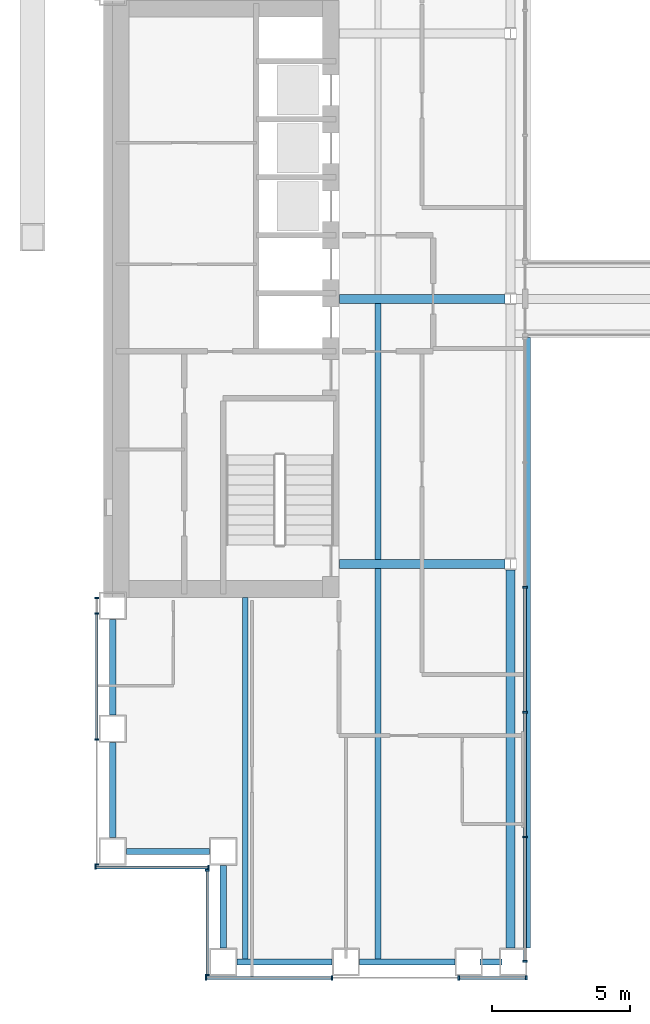
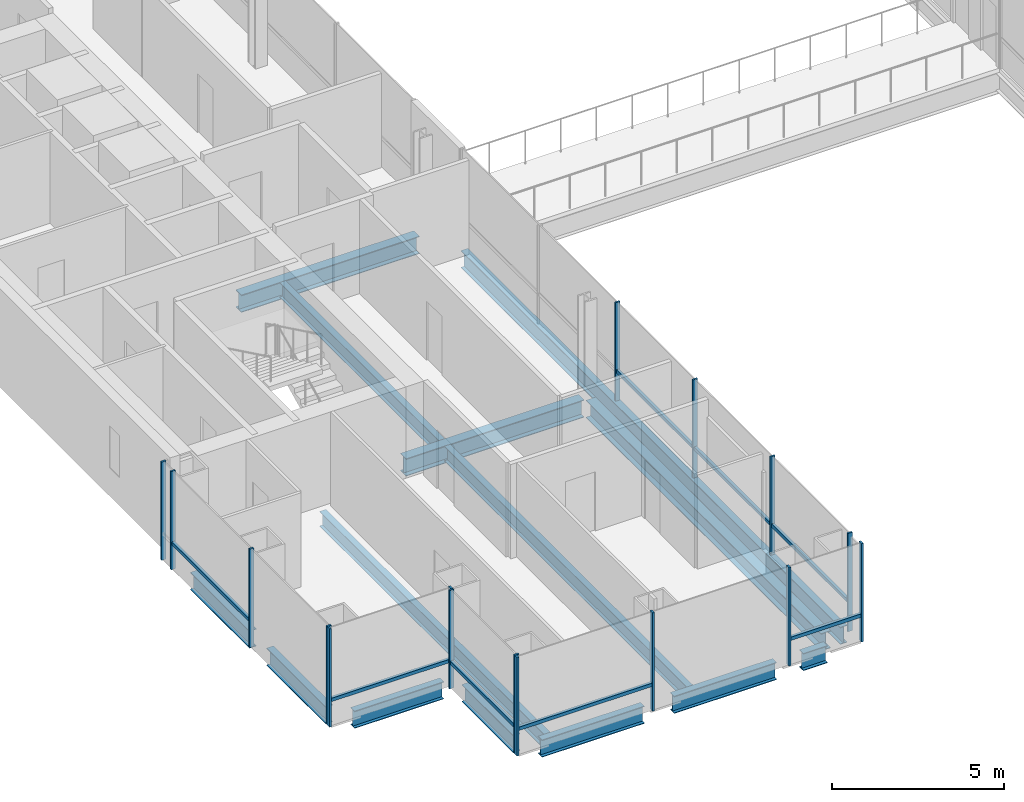
# One storey, part 2 of 19: 24 members, 14 beams, 5 elements without a shape of their own.
"""IFC4 building model written with IfcOpenShell, lengths in metres."""

from ifc_helpers import new_model, si_unit, direction, frame, origin, origin_2d, place, context, subcontext, project, spatial, rectangle, i_section, extrude, material, material_profile, profile_set, type_object, element, aggregate, save


model = new_model("IFC4")

# Units and contexts
model_context = context("Model", 3, precision=1e-05, world=origin(), true_north=direction((0.0, 1.0)))
body_context = subcontext(model_context, "Body", "Model", "MODEL_VIEW")
ifc_project = project(units=[si_unit("LENGTHUNIT", "METRE"), si_unit("AREAUNIT", "SQUARE_METRE"), si_unit("VOLUMEUNIT", "CUBIC_METRE"), si_unit("PLANEANGLEUNIT", "RADIAN"), si_unit("MASSUNIT", "GRAM", prefix="KILO")], contexts=[model_context])

# Site, building, storey
site_placement = place(None, origin())
site = spatial("IfcSite", under=ifc_project, at=site_placement, CompositionType="ELEMENT")
building_placement = place(site_placement, origin())
building = spatial("IfcBuilding", under=site, at=building_placement, Name="Cobrizo Arcos Hotel Tower", CompositionType="ELEMENT")
storey_placement = place(building_placement, frame((0.0, 0.0, 70.5)))
storey = spatial("IfcBuildingStorey", under=building, at=storey_placement, Name="L16", CompositionType="ELEMENT", Elevation=70.5)

# Curtain wall, members
ifc_material_1 = material(Name="Aluminium 6063-T6 anodised bronze", Category="aluminium")
curtain_wall_type_1 = type_object("IfcCurtainWallType", Name="CW-A guest facade", PredefinedType="NOTDEFINED", material=ifc_material_1)
curtain_wall_1_placement = place(storey_placement, origin())
curtain_wall_1 = element("IfcCurtainWall", 1, at=curtain_wall_1_placement, inside=storey, type_object=curtain_wall_type_1, Name="CW-A L16 S face", PredefinedType="NOTDEFINED")
ifc_material_profile_1 = material_profile(ifc_material_1, rectangle(XDim=0.14990234375, YDim=0.06005859375, at=origin_2d()), Name="CW-A mullion 150x60")
ifc_profile_set_1 = profile_set([ifc_material_profile_1], Name="Aluminium 6063-T6 anodised bronze")
member_type_1 = type_object("IfcMemberType", Name="CW-A mullion 150x60", PredefinedType="MULLION", material=ifc_profile_set_1)
member_1_placement = place(storey_placement, frame((-20.6201171875, -24.574951171875, 0.0), z_axis=(0.0, 0.0, 1.0), x_axis=(0.0, -1.0, 0.0)))
member_1 = element("IfcMember", 2, at=member_1_placement, type_object=member_type_1, Name="CW-A mullion 1", PredefinedType="MULLION", context=body_context, shape_type="SweptSolid", body=[
    extrude(rectangle(XDim=0.14990234375, YDim=0.06005859375, at=origin_2d()), origin(), (0.0, 0.0, 1.0), 3.5),
])
member_2_placement = place(storey_placement, frame((-16.06103515625, -24.574951171875, 0.0), z_axis=(0.0, 0.0, 1.0), x_axis=(0.0, -1.0, 0.0)))
member_2 = element("IfcMember", 3, at=member_2_placement, type_object=member_type_1, Name="CW-A mullion 2", PredefinedType="MULLION", context=body_context, shape_type="SweptSolid", body=[
    extrude(rectangle(XDim=0.14990234375, YDim=0.06005859375, at=origin_2d()), origin(), (0.0, 0.0, 1.0), 3.5),
])
member_3_placement = place(storey_placement, frame((-11.47216796875, -24.574951171875, 0.0), z_axis=(0.0, 0.0, 1.0), x_axis=(0.0, -1.0, 0.0)))
member_3 = element("IfcMember", 4, at=member_3_placement, type_object=member_type_1, Name="CW-A mullion 3", PredefinedType="MULLION", context=body_context, shape_type="SweptSolid", body=[
    extrude(rectangle(XDim=0.14990234375, YDim=0.06005859375, at=origin_2d()), origin(), (0.0, 0.0, 1.0), 3.5),
])
member_4_placement = place(storey_placement, frame((-9.030029296875, -24.574951171875, 0.0), z_axis=(0.0, 0.0, 1.0), x_axis=(0.0, -1.0, 0.0)))
member_4 = element("IfcMember", 5, at=member_4_placement, type_object=member_type_1, Name="CW-A mullion 4", PredefinedType="MULLION", context=body_context, shape_type="SweptSolid", body=[
    extrude(rectangle(XDim=0.14990234375, YDim=0.06005859375, at=origin_2d()), origin(), (0.0, 0.0, 1.0), 3.5),
])

curtain_wall_2_placement = place(storey_placement, origin())
curtain_wall_2 = element("IfcCurtainWall", 6, at=curtain_wall_2_placement, inside=storey, type_object=curtain_wall_type_1, Name="CW-A L16 W face", PredefinedType="NOTDEFINED")
member_5_placement = place(storey_placement, frame((-24.574951171875, -10.830078125, 0.0), z_axis=(0.0, 0.0, 1.0), x_axis=(-1.0, 0.0, 0.0)))
member_5 = element("IfcMember", 7, at=member_5_placement, type_object=member_type_1, Name="CW-A mullion 1", PredefinedType="MULLION", context=body_context, shape_type="SweptSolid", body=[
    extrude(rectangle(XDim=0.14990234375, YDim=0.06005859375, at=origin_2d()), origin(), (0.0, 0.0, 1.0), 3.5),
])
member_6_placement = place(storey_placement, frame((-24.574951171875, -11.388916015625, 0.0), z_axis=(0.0, 0.0, 1.0), x_axis=(-1.0, 0.0, 0.0)))
member_6 = element("IfcMember", 8, at=member_6_placement, type_object=member_type_1, Name="CW-A mullion 2", PredefinedType="MULLION", context=body_context, shape_type="SweptSolid", body=[
    extrude(rectangle(XDim=0.14990234375, YDim=0.06005859375, at=origin_2d()), origin(), (0.0, 0.0, 1.0), 3.5),
])
member_7_placement = place(storey_placement, frame((-24.574951171875, -15.9443359375, 0.0), z_axis=(0.0, 0.0, 1.0), x_axis=(-1.0, 0.0, 0.0)))
member_7 = element("IfcMember", 9, at=member_7_placement, type_object=member_type_1, Name="CW-A mullion 3", PredefinedType="MULLION", context=body_context, shape_type="SweptSolid", body=[
    extrude(rectangle(XDim=0.14990234375, YDim=0.06005859375, at=origin_2d()), origin(), (0.0, 0.0, 1.0), 3.5),
])
member_8_placement = place(storey_placement, frame((-24.574951171875, -20.469970703125, 0.0), z_axis=(0.0, 0.0, 1.0), x_axis=(-1.0, 0.0, 0.0)))
member_8 = element("IfcMember", 10, at=member_8_placement, type_object=member_type_1, Name="CW-A mullion 4", PredefinedType="MULLION", context=body_context, shape_type="SweptSolid", body=[
    extrude(rectangle(XDim=0.14990234375, YDim=0.06005859375, at=origin_2d()), origin(), (0.0, 0.0, 1.0), 3.5),
])

curtain_wall_3_placement = place(storey_placement, origin())
curtain_wall_3 = element("IfcCurtainWall", 11, at=curtain_wall_3_placement, inside=storey, type_object=curtain_wall_type_1, Name="CW-A L16 S face", PredefinedType="NOTDEFINED")
member_9_placement = place(storey_placement, frame((-24.6201171875, -20.574951171875, 0.0), z_axis=(0.0, 0.0, 1.0), x_axis=(0.0, -1.0, 0.0)))
member_9 = element("IfcMember", 12, at=member_9_placement, type_object=member_type_1, Name="CW-A mullion 1", PredefinedType="MULLION", context=body_context, shape_type="SweptSolid", body=[
    extrude(rectangle(XDim=0.14990234375, YDim=0.06005859375, at=origin_2d()), origin(), (0.0, 0.0, 1.0), 3.5),
])
member_10_placement = place(storey_placement, frame((-20.530029296875, -20.574951171875, 0.0), z_axis=(0.0, 0.0, 1.0), x_axis=(0.0, -1.0, 0.0)))
member_10 = element("IfcMember", 13, at=member_10_placement, type_object=member_type_1, Name="CW-A mullion 2", PredefinedType="MULLION", context=body_context, shape_type="SweptSolid", body=[
    extrude(rectangle(XDim=0.14990234375, YDim=0.06005859375, at=origin_2d()), origin(), (0.0, 0.0, 1.0), 3.5),
])

curtain_wall_4_placement = place(storey_placement, origin())
curtain_wall_4 = element("IfcCurtainWall", 14, at=curtain_wall_4_placement, inside=storey, type_object=curtain_wall_type_1, Name="CW-A L16 W face", PredefinedType="NOTDEFINED")
member_11_placement = place(storey_placement, frame((-20.574951171875, -20.679931640625, 0.0), z_axis=(0.0, 0.0, 1.0), x_axis=(-1.0, 0.0, 0.0)))
member_11 = element("IfcMember", 15, at=member_11_placement, type_object=member_type_1, Name="CW-A mullion 1", PredefinedType="MULLION", context=body_context, shape_type="SweptSolid", body=[
    extrude(rectangle(XDim=0.14990234375, YDim=0.06005859375, at=origin_2d()), origin(), (0.0, 0.0, 1.0), 3.5),
])
member_12_placement = place(storey_placement, frame((-20.574951171875, -24.469970703125, 0.0), z_axis=(0.0, 0.0, 1.0), x_axis=(-1.0, 0.0, 0.0)))
member_12 = element("IfcMember", 16, at=member_12_placement, type_object=member_type_1, Name="CW-A mullion 2", PredefinedType="MULLION", context=body_context, shape_type="SweptSolid", body=[
    extrude(rectangle(XDim=0.14990234375, YDim=0.06005859375, at=origin_2d()), origin(), (0.0, 0.0, 1.0), 3.5),
])

# Member
ifc_material_profile_2 = material_profile(ifc_material_1, rectangle(XDim=0.10009765625, YDim=0.1201171875, at=origin_2d()), Name="CW-A transom 120x100")
ifc_profile_set_2 = profile_set([ifc_material_profile_2], Name="Aluminium 6063-T6 anodised bronze")
member_type_2 = type_object("IfcMemberType", Name="CW-A transom 120x100", PredefinedType="USERDEFINED", material=ifc_profile_set_2)
member_13_placement = place(storey_placement, frame((-20.590087890625, -24.574951171875, 0.929931640625), z_axis=(1.0, 0.0, 0.0), x_axis=(0.0, 1.0, 0.0)))
member_13 = element("IfcMember", 17, at=member_13_placement, type_object=member_type_2, Name="CW-A transom 685", ObjectType="TRANSOM", PredefinedType="USERDEFINED", context=body_context, shape_type="SweptSolid", body=[
    extrude(rectangle(XDim=0.10009765625, YDim=0.1201171875, at=origin_2d()), origin(), (0.0, 0.0, 1.0), 4.4990234375),
])

member_14_placement = place(storey_placement, frame((-11.442138671875, -24.574951171875, 0.929931640625), z_axis=(1.0, 0.0, 0.0), x_axis=(0.0, 1.0, 0.0)))
member_14 = element("IfcMember", 18, at=member_14_placement, type_object=member_type_2, Name="CW-A transom 687", ObjectType="TRANSOM", PredefinedType="USERDEFINED", context=body_context, shape_type="SweptSolid", body=[
    extrude(rectangle(XDim=0.10009765625, YDim=0.1201171875, at=origin_2d()), origin(), (0.0, 0.0, 1.0), 2.382080078125),
])

aggregate(curtain_wall_1, [member_1, member_2, member_3, member_4, member_13, member_14])

member_15_placement = place(storey_placement, frame((-24.574951171875, -11.4189453125, 0.929931640625), z_axis=(0.0, -1.0, 0.0), x_axis=(1.0, 0.0, 0.0)))
member_15 = element("IfcMember", 19, at=member_15_placement, type_object=member_type_2, Name="CW-A transom 713", ObjectType="TRANSOM", PredefinedType="USERDEFINED", context=body_context, shape_type="SweptSolid", body=[
    extrude(rectangle(XDim=0.10009765625, YDim=0.1201171875, at=origin_2d()), origin(), (0.0, 0.0, 1.0), 4.49560546875),
])

aggregate(curtain_wall_2, [member_5, member_6, member_7, member_8, member_15])

member_16_placement = place(storey_placement, frame((-24.590087890625, -20.574951171875, 0.929931640625), z_axis=(1.0, 0.0, 0.0), x_axis=(0.0, 1.0, 0.0)))
member_16 = element("IfcMember", 20, at=member_16_placement, type_object=member_type_2, Name="CW-A transom 715", ObjectType="TRANSOM", PredefinedType="USERDEFINED", context=body_context, shape_type="SweptSolid", body=[
    extrude(rectangle(XDim=0.10009765625, YDim=0.1201171875, at=origin_2d()), origin(), (0.0, 0.0, 1.0), 4.030029296875),
])

aggregate(curtain_wall_3, [member_9, member_10, member_16])

member_17_placement = place(storey_placement, frame((-20.574951171875, -20.7099609375, 0.929931640625), z_axis=(0.0, -1.0, 0.0), x_axis=(1.0, 0.0, 0.0)))
member_17 = element("IfcMember", 21, at=member_17_placement, type_object=member_type_2, Name="CW-A transom 716", ObjectType="TRANSOM", PredefinedType="USERDEFINED", context=body_context, shape_type="SweptSolid", body=[
    extrude(rectangle(XDim=0.10009765625, YDim=0.1201171875, at=origin_2d()), origin(), (0.0, 0.0, 1.0), 3.72998046875),
])

aggregate(curtain_wall_4, [member_11, member_12, member_17])

# Curtain wall, members
curtain_wall_type_2 = type_object("IfcCurtainWallType", Name="CW-F void screen", PredefinedType="NOTDEFINED", material=ifc_material_1)
curtain_wall_5_placement = place(storey_placement, origin())
curtain_wall_5 = element("IfcCurtainWall", 22, at=curtain_wall_5_placement, inside=storey, type_object=curtain_wall_type_2, Name="CW-F L16 void screen A", PredefinedType="NOTDEFINED")
ifc_material_profile_3 = material_profile(ifc_material_1, rectangle(XDim=0.14990234375, YDim=0.06005859375, at=origin_2d()), Name="CW-F mullion 150x60")
ifc_profile_set_3 = profile_set([ifc_material_profile_3], Name="Aluminium 6063-T6 anodised bronze")
member_type_3 = type_object("IfcMemberType", Name="CW-F mullion 150x60", PredefinedType="MULLION", material=ifc_profile_set_3)
member_18_placement = place(storey_placement, frame((-9.074951171875, -10.43994140625, 0.0), z_axis=(0.0, 0.0, 1.0), x_axis=(-1.0, 0.0, 0.0)))
member_18 = element("IfcMember", 23, at=member_18_placement, type_object=member_type_3, Name="CW-F mullion 3", PredefinedType="MULLION", context=body_context, shape_type="SweptSolid", body=[
    extrude(rectangle(XDim=0.14990234375, YDim=0.06005859375, at=origin_2d()), origin(), (0.0, 0.0, 1.0), 3.5),
])
member_19_placement = place(storey_placement, frame((-9.074951171875, -14.9599609375, 0.0), z_axis=(0.0, 0.0, 1.0), x_axis=(-1.0, 0.0, 0.0)))
member_19 = element("IfcMember", 24, at=member_19_placement, type_object=member_type_3, Name="CW-F mullion 4", PredefinedType="MULLION", context=body_context, shape_type="SweptSolid", body=[
    extrude(rectangle(XDim=0.14990234375, YDim=0.06005859375, at=origin_2d()), origin(), (0.0, 0.0, 1.0), 3.5),
])
member_20_placement = place(storey_placement, frame((-9.074951171875, -19.47998046875, 0.0), z_axis=(0.0, 0.0, 1.0), x_axis=(-1.0, 0.0, 0.0)))
member_20 = element("IfcMember", 25, at=member_20_placement, type_object=member_type_3, Name="CW-F mullion 5", PredefinedType="MULLION", context=body_context, shape_type="SweptSolid", body=[
    extrude(rectangle(XDim=0.14990234375, YDim=0.06005859375, at=origin_2d()), origin(), (0.0, 0.0, 1.0), 3.5),
])
member_21_placement = place(storey_placement, frame((-9.074951171875, -23.969970703125, 0.0), z_axis=(0.0, 0.0, 1.0), x_axis=(-1.0, 0.0, 0.0)))
member_21 = element("IfcMember", 26, at=member_21_placement, type_object=member_type_3, Name="CW-F mullion 6", PredefinedType="MULLION", context=body_context, shape_type="SweptSolid", body=[
    extrude(rectangle(XDim=0.14990234375, YDim=0.06005859375, at=origin_2d()), origin(), (0.0, 0.0, 1.0), 3.5),
])
ifc_material_profile_4 = material_profile(ifc_material_1, rectangle(XDim=0.10009765625, YDim=0.1201171875, at=origin_2d()), Name="CW-F transom 120x100")
ifc_profile_set_4 = profile_set([ifc_material_profile_4], Name="Aluminium 6063-T6 anodised bronze")
member_type_4 = type_object("IfcMemberType", Name="CW-F transom 120x100", PredefinedType="USERDEFINED", material=ifc_profile_set_4)
member_22_placement = place(storey_placement, frame((-9.074951171875, -10.469970703125, 1.050048828125), z_axis=(0.0, -1.0, 0.0), x_axis=(1.0, 0.0, 0.0)))
member_22 = element("IfcMember", 27, at=member_22_placement, type_object=member_type_4, Name="CW-F transom 2505", ObjectType="TRANSOM", PredefinedType="USERDEFINED", context=body_context, shape_type="SweptSolid", body=[
    extrude(rectangle(XDim=0.10009765625, YDim=0.1201171875, at=origin_2d()), origin(), (0.0, 0.0, 1.0), 4.4599609375),
])
member_23_placement = place(storey_placement, frame((-9.074951171875, -14.989990234375, 1.050048828125), z_axis=(0.0, -1.0, 0.0), x_axis=(1.0, 0.0, 0.0)))
member_23 = element("IfcMember", 28, at=member_23_placement, type_object=member_type_4, Name="CW-F transom 2506", ObjectType="TRANSOM", PredefinedType="USERDEFINED", context=body_context, shape_type="SweptSolid", body=[
    extrude(rectangle(XDim=0.10009765625, YDim=0.1201171875, at=origin_2d()), origin(), (0.0, 0.0, 1.0), 4.4599609375),
])
member_24_placement = place(storey_placement, frame((-9.074951171875, -19.510009765625, 1.050048828125), z_axis=(0.0, -1.0, 0.0), x_axis=(1.0, 0.0, 0.0)))
member_24 = element("IfcMember", 29, at=member_24_placement, type_object=member_type_4, Name="CW-F transom 2507", ObjectType="TRANSOM", PredefinedType="USERDEFINED", context=body_context, shape_type="SweptSolid", body=[
    extrude(rectangle(XDim=0.10009765625, YDim=0.1201171875, at=origin_2d()), origin(), (0.0, 0.0, 1.0), 4.429931640625),
])
aggregate(curtain_wall_5, [member_18, member_19, member_20, member_21, member_22, member_23, member_24])

# Beams
ifc_material_2 = material(Name="Steel ASTM A992 Grade 50", Category="steel")
ifc_material_profile_5 = material_profile(ifc_material_2, i_section(OverallWidth=0.209228515625, OverallDepth=0.533447265625, WebThickness=0.01025390625, FlangeThickness=0.015625, at=origin_2d()), Name="W21X62")
ifc_profile_set_5 = profile_set([ifc_material_profile_5], Name="Steel ASTM A992 Grade 50")
beam_type_1 = type_object("IfcBeamType", Name="W21X62 joist", PredefinedType="JOIST", material=ifc_profile_set_5)
beam_1_placement = place(storey_placement, frame((-19.199951171875, -23.909912109375, -0.416748046875), z_axis=(0.0, 1.0, 0.0), x_axis=(-1.0, 0.0, 0.0)))
element("IfcBeam", 30, at=beam_1_placement, inside=storey, type_object=beam_type_1, Name="Floor joist J1, L16, no. 001", PredefinedType="JOIST", context=body_context, shape_type="SweptSolid", body=[
    extrude(i_section(OverallWidth=0.209228515625, OverallDepth=0.533447265625, WebThickness=0.01025390625, FlangeThickness=0.015625, at=origin_2d()), origin(), (0.0, 0.0, 1.0), 13.099853515625),
])
beam_2_placement = place(storey_placement, frame((-14.39990234375, -23.909912109375, -0.416748046875), z_axis=(0.0, 1.0, 0.0), x_axis=(-1.0, 0.0, 0.0)))
element("IfcBeam", 31, at=beam_2_placement, inside=storey, type_object=beam_type_1, Name="Floor joist J1, L16, no. 003", PredefinedType="JOIST", context=body_context, shape_type="SweptSolid", body=[
    extrude(i_section(OverallWidth=0.209228515625, OverallDepth=0.533447265625, WebThickness=0.01025390625, FlangeThickness=0.015625, at=origin_2d()), origin(), (0.0, 0.0, 1.0), 14.14599609375),
])
beam_3_placement = place(storey_placement, frame((-14.39990234375, -9.43603515625, -0.416748046875), z_axis=(0.0, 1.0, 0.0), x_axis=(-1.0, 0.0, 0.0)))
element("IfcBeam", 32, at=beam_3_placement, inside=storey, type_object=beam_type_1, Name="Floor joist J1, L16, no. 004", PredefinedType="JOIST", context=body_context, shape_type="SweptSolid", body=[
    extrude(i_section(OverallWidth=0.209228515625, OverallDepth=0.533447265625, WebThickness=0.01025390625, FlangeThickness=0.015625, at=origin_2d()), origin(), (0.0, 0.0, 1.0), 9.272216796875),
])
ifc_material_profile_6 = material_profile(ifc_material_2, i_section(OverallWidth=0.32763671875, OverallDepth=0.622314453125, WebThickness=0.015380859375, FlangeThickness=0.0244140625, at=origin_2d()), Name="W24X131")
ifc_profile_set_6 = profile_set([ifc_material_profile_6], Name="Steel ASTM A992 Grade 50")
beam_type_2 = type_object("IfcBeamType", Name="W24X131 girder", PredefinedType="BEAM", material=ifc_profile_set_6)
for number, where, z_axis, x_axis, name in (
    (33, (-15.7900390625, -9.60009765625, -0.461181640625), (1.0, 0.0, 0.0), (0.0, 1.0, 0.0), "Floor girder G1, L16, no. 001"),
    (34, (-15.7900390625, 0.0, -0.461181640625), (1.0, 0.0, 0.0), (0.0, 1.0, 0.0), "Floor girder G1, L16, no. 003"),
):
    element("IfcBeam", number, at=place(storey_placement, frame(where, z_axis=z_axis, x_axis=x_axis)), inside=storey, type_object=beam_type_2, Name=name, PredefinedType="BEAM", context=body_context, shape_type="SweptSolid", body=[
        extrude(i_section(OverallWidth=0.32763671875, OverallDepth=0.622314453125, WebThickness=0.015380859375, FlangeThickness=0.0244140625, at=origin_2d()), origin(), (0.0, 0.0, 1.0), 5.985595703125),
    ])
beam_4_placement = place(storey_placement, frame((-9.60009765625, -23.5, -0.461181640625), z_axis=(0.0, 1.0, 0.0), x_axis=(-1.0, 0.0, 0.0)))
element("IfcBeam", 35, at=beam_4_placement, inside=storey, type_object=beam_type_2, Name="Floor girder G1, L16, no. 008", PredefinedType="BEAM", context=body_context, shape_type="SweptSolid", body=[
    extrude(i_section(OverallWidth=0.32763671875, OverallDepth=0.622314453125, WebThickness=0.015380859375, FlangeThickness=0.0244140625, at=origin_2d()), origin(), (0.0, 0.0, 1.0), 13.695556640625),
])
ifc_material_profile_7 = material_profile(ifc_material_2, i_section(OverallWidth=0.23046875, OverallDepth=0.6171875, WebThickness=0.01318359375, FlangeThickness=0.022216796875, at=origin_2d()), Name="W24X94")
ifc_profile_set_7 = profile_set([ifc_material_profile_7], Name="Steel ASTM A992 Grade 50")
beam_type_3 = type_object("IfcBeamType", Name="W24X94 spandrel", PredefinedType="SPANDREL", material=ifc_profile_set_7)
beam_5_placement = place(storey_placement, frame((-9.0, -1.39990234375, -0.45849609375), z_axis=(0.0, -1.0, 0.0), x_axis=(1.0, 0.0, 0.0)))
element("IfcBeam", 36, at=beam_5_placement, inside=storey, type_object=beam_type_3, Name="Spandrel beam W24X94, L16, no. 012", PredefinedType="SPANDREL", context=body_context, shape_type="SweptSolid", body=[
    extrude(i_section(OverallWidth=0.23046875, OverallDepth=0.6171875, WebThickness=0.01318359375, FlangeThickness=0.022216796875, at=origin_2d()), origin(), (0.0, 0.0, 1.0), 22.10009765625),
])
beam_6_placement = place(storey_placement, frame((-9.89990234375, -24.0, -0.45849609375), z_axis=(-1.0, 0.0, 0.0), x_axis=(0.0, -1.0, 0.0)))
element("IfcBeam", 37, at=beam_6_placement, inside=storey, type_object=beam_type_3, Name="Spandrel beam W24X94, L16, no. 013", PredefinedType="SPANDREL", context=body_context, shape_type="SweptSolid", body=[
    extrude(i_section(OverallWidth=0.23046875, OverallDepth=0.6171875, WebThickness=0.01318359375, FlangeThickness=0.022216796875, at=origin_2d()), origin(), (0.0, 0.0, 1.0), 0.81103515625),
])
beam_7_placement = place(storey_placement, frame((-11.611083984375, -24.0, -0.45849609375), z_axis=(-1.0, 0.0, 0.0), x_axis=(0.0, -1.0, 0.0)))
element("IfcBeam", 38, at=beam_7_placement, inside=storey, type_object=beam_type_3, Name="Spandrel beam W24X94, L16, no. 014", PredefinedType="SPANDREL", context=body_context, shape_type="SweptSolid", body=[
    extrude(i_section(OverallWidth=0.23046875, OverallDepth=0.6171875, WebThickness=0.01318359375, FlangeThickness=0.022216796875, at=origin_2d()), origin(), (0.0, 0.0, 1.0), 3.44482421875),
])
beam_8_placement = place(storey_placement, frame((-16.055908203125, -24.0, -0.45849609375), z_axis=(-1.0, 0.0, 0.0), x_axis=(0.0, -1.0, 0.0)))
element("IfcBeam", 39, at=beam_8_placement, inside=storey, type_object=beam_type_3, Name="Spandrel beam W24X94, L16, no. 015", PredefinedType="SPANDREL", context=body_context, shape_type="SweptSolid", body=[
    extrude(i_section(OverallWidth=0.23046875, OverallDepth=0.6171875, WebThickness=0.01318359375, FlangeThickness=0.022216796875, at=origin_2d()), origin(), (0.0, 0.0, 1.0), 3.444091796875),
])
for number, where, z_axis, x_axis, name in (
    (40, (-20.0, -23.5, -0.45849609375), (0.0, 1.0, 0.0), (-1.0, 0.0, 0.0), "Spandrel beam W24X94, L16, no. 016"),
    (41, (-20.5, -20.0, -0.45849609375), (-1.0, 0.0, 0.0), (0.0, -1.0, 0.0), "Spandrel beam W24X94, L16, no. 017"),
):
    element("IfcBeam", number, at=place(storey_placement, frame(where, z_axis=z_axis, x_axis=x_axis)), inside=storey, type_object=beam_type_3, Name=name, PredefinedType="SPANDREL", context=body_context, shape_type="SweptSolid", body=[
        extrude(i_section(OverallWidth=0.23046875, OverallDepth=0.6171875, WebThickness=0.01318359375, FlangeThickness=0.022216796875, at=origin_2d()), origin(), (0.0, 0.0, 1.0), 3.0),
    ])
beam_9_placement = place(storey_placement, frame((-24.0, -19.5, -0.45849609375), z_axis=(0.0, 1.0, 0.0), x_axis=(-1.0, 0.0, 0.0)))
element("IfcBeam", 42, at=beam_9_placement, inside=storey, type_object=beam_type_3, Name="Spandrel beam W24X94, L16, no. 018", PredefinedType="SPANDREL", context=body_context, shape_type="SweptSolid", body=[
    extrude(i_section(OverallWidth=0.23046875, OverallDepth=0.6171875, WebThickness=0.01318359375, FlangeThickness=0.022216796875, at=origin_2d()), origin(), (0.0, 0.0, 1.0), 3.444091796875),
])
beam_10_placement = place(storey_placement, frame((-24.0, -15.055908203125, -0.45849609375), z_axis=(0.0, 1.0, 0.0), x_axis=(-1.0, 0.0, 0.0)))
element("IfcBeam", 43, at=beam_10_placement, inside=storey, type_object=beam_type_3, Name="Spandrel beam W24X94, L16, no. 019", PredefinedType="SPANDREL", context=body_context, shape_type="SweptSolid", body=[
    extrude(i_section(OverallWidth=0.23046875, OverallDepth=0.6171875, WebThickness=0.01318359375, FlangeThickness=0.022216796875, at=origin_2d()), origin(), (0.0, 0.0, 1.0), 3.44482421875),
])

save(model, "model.ifc")
